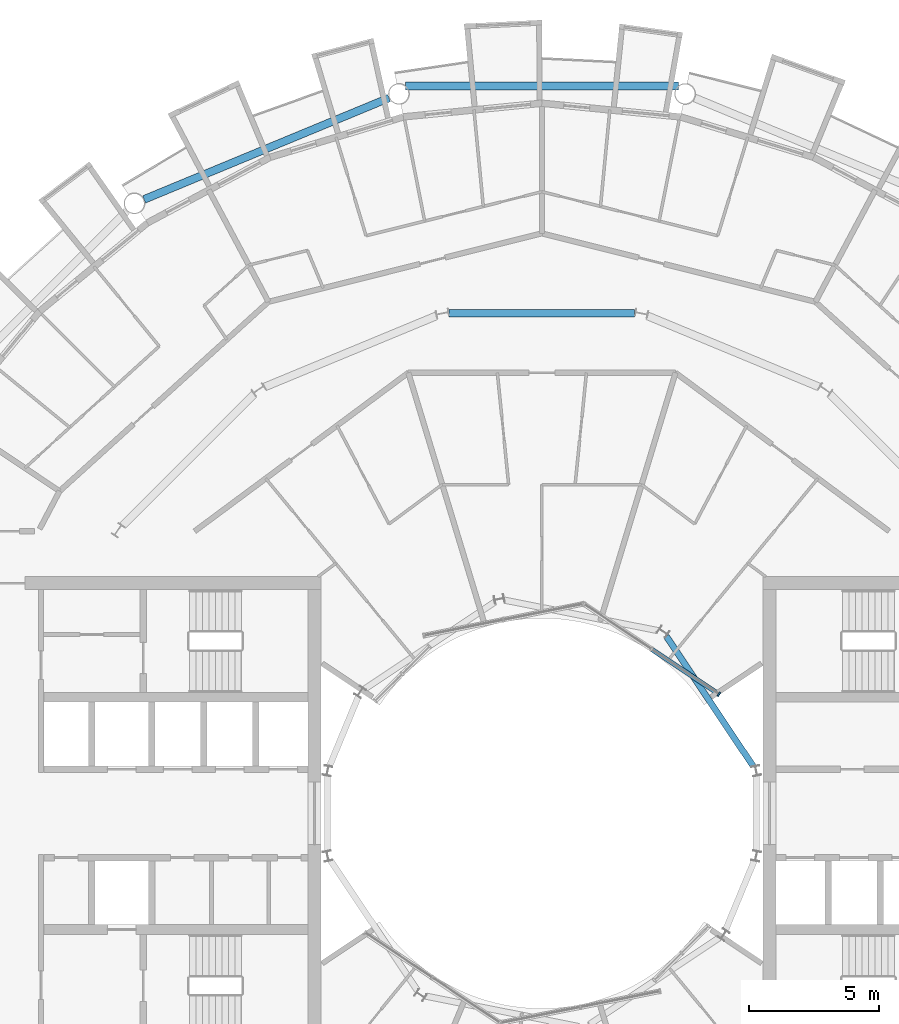
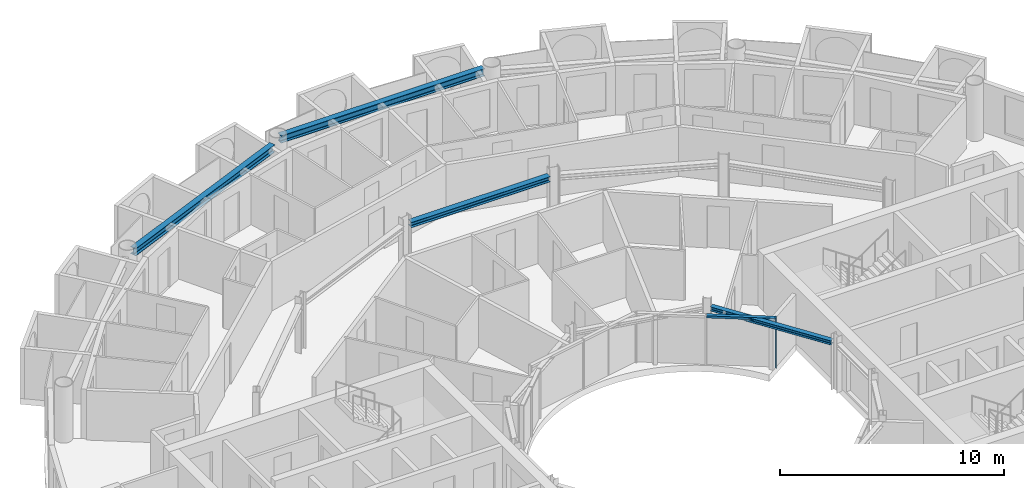
# One storey, part 9 of 27: 4 beams, 2 members, 1 element without a shape of its own.
"""IFC4 building model written with IfcOpenShell, lengths in metres."""

import ifcopenshell
import ifcopenshell.guid

model = None  # the IFC model being written
_history = None  # IfcOwnerHistory: only IFC2X3 demands one
_inside = {}  # id of a spatial element -> (the spatial element, [elements in it])
_under = {}  # id of a project, library or spatial element -> (it, [spatial elements below it])
_declared = {}  # id of a project -> (the project, [libraries it declares])
_typed = {}  # id of a type object -> (the type object, [elements of that type])
_made_of = {}  # id of a material, layer set ... -> (it, [elements and type objects made of it])


def new_model(schema):
    """Start an empty IFC model of exactly this schema.

    Asked for "IFC4X3", IfcOpenShell would pick the latest addendum, in which some entities
    have other attributes; the version numbers below select the first issue.
    IFC2X3 requires an IfcOwnerHistory on every rooted entity: one is made here for all.
    """
    global model, _history
    if schema == "IFC4X3":
        model = ifcopenshell.file(schema_version=(4, 3, 0, 0))
    else:
        model = ifcopenshell.file(schema=schema)
    _inside.clear()
    _under.clear()
    _declared.clear()
    _typed.clear()
    _made_of.clear()
    _history = None
    if model.schema == "IFC2X3":
        org = make("IfcOrganization", Name="unknown")
        user = make(
            "IfcPersonAndOrganization",
            ThePerson=make("IfcPerson", FamilyName="unknown"),
            TheOrganization=org,
        )
        app = make(
            "IfcApplication",
            ApplicationDeveloper=org,
            Version="unknown",
            ApplicationFullName="unknown",
            ApplicationIdentifier="unknown",
        )
        _history = make(
            "IfcOwnerHistory",
            OwningUser=user,
            OwningApplication=app,
            ChangeAction="ADDED",
            CreationDate=0,
        )
    return model


def make(cls, **values):
    """One entity of the class cls with the attributes given. An attribute that is None is left unset."""
    return model.create_entity(
        cls, **{name: value for name, value in values.items() if value is not None}
    )


def rooted(cls, **values):
    """An entity with a GlobalId (a new one), such as an element, a storey or a relation."""
    return make(cls, GlobalId=ifcopenshell.guid.new(), OwnerHistory=_history, **values)


def si_unit(unit_type, name, prefix=None):
    """IfcSIUnit, for example si_unit("LENGTHUNIT", "METRE", prefix="MILLI")."""
    return make("IfcSIUnit", UnitType=unit_type, Prefix=prefix, Name=name)


def assignment(units):
    """IfcUnitAssignment: the units of a project."""
    return None if units is None else make("IfcUnitAssignment", Units=units)


def point(xyz):
    """IfcCartesianPoint."""
    return None if xyz is None else make("IfcCartesianPoint", Coordinates=xyz)


def direction(xyz):
    """IfcDirection."""
    return None if xyz is None else make("IfcDirection", DirectionRatios=xyz)


def frame(location, z_axis=None, x_axis=None):
    """IfcAxis2Placement3D, a coordinate frame: its origin and axes. An axis left out is left unset."""
    return make(
        "IfcAxis2Placement3D",
        Location=point(location),
        Axis=direction(z_axis),
        RefDirection=direction(x_axis),
    )


def frame_2d(location, x_axis=None):
    """IfcAxis2Placement2D, a coordinate frame in the plane: its origin and x axis."""
    return make(
        "IfcAxis2Placement2D", Location=point(location), RefDirection=direction(x_axis)
    )


def origin():
    """The frame at (0, 0, 0) with its axes left unset."""
    return frame((0.0, 0.0, 0.0))


def origin_2d():
    """The frame at (0, 0) in the plane with its x axis left unset."""
    return frame_2d((0.0, 0.0))


def place(relative_to, where):
    """IfcLocalPlacement: puts the frame where relative to a parent placement (None: the world)."""
    return make(
        "IfcLocalPlacement", PlacementRelTo=relative_to, RelativePlacement=where
    )


def context(
    kind, dimensions, precision=None, world=None, true_north=None, identifier=None
):
    """IfcGeometricRepresentationContext, for example the 3D "Model" context."""
    return make(
        "IfcGeometricRepresentationContext",
        ContextIdentifier=identifier,
        ContextType=kind,
        CoordinateSpaceDimension=dimensions,
        Precision=precision,
        WorldCoordinateSystem=world,
        TrueNorth=true_north,
    )


def subcontext(parent, identifier, kind, view, scale=None):
    """IfcGeometricRepresentationSubContext, for example "Body" below "Model"."""
    return make(
        "IfcGeometricRepresentationSubContext",
        ContextIdentifier=identifier,
        ContextType=kind,
        ParentContext=parent,
        TargetScale=scale,
        TargetView=view,
    )


def project(units=None, contexts=None):
    """IfcProject with its units and contexts."""
    return rooted(
        "IfcProject",
        Name="project",
        RepresentationContexts=contexts,
        UnitsInContext=assignment(units),
    )


def spatial(cls, under=None, at=None, **own):
    """A site, building, storey or space (cls), placed at a placement, below another one or the project."""
    s = rooted(cls, ObjectPlacement=at, **own)
    if under is not None:
        _under.setdefault(under.id(), (under, []))[1].append(s)
    return s


def profile(cls, at=None, kind="AREA", **sizes):
    """A parametric profile (cls). Its sizes go by their IFC names, for example OverallWidth=200.0."""
    return make(cls, ProfileType=kind, Position=at, **sizes)


def rectangle(**sizes):
    """IfcRectangleProfileDef."""
    return profile("IfcRectangleProfileDef", **sizes)


def i_section(**sizes):
    """IfcIShapeProfileDef."""
    return profile("IfcIShapeProfileDef", **sizes)


def extrude(swept, where, along, depth):
    """IfcExtrudedAreaSolid: the profile swept, set in the frame where, extruded along a direction by depth."""
    return make(
        "IfcExtrudedAreaSolid",
        SweptArea=swept,
        Position=where,
        ExtrudedDirection=direction(along),
        Depth=depth,
    )


def shape(context_of_items, identifier, shape_type, items):
    """IfcShapeRepresentation: the items that make up one representation, for example the "Body"."""
    return make(
        "IfcShapeRepresentation",
        ContextOfItems=context_of_items,
        RepresentationIdentifier=identifier,
        RepresentationType=shape_type,
        Items=items,
    )


def material(Name=None, Category=None):
    """IfcMaterial."""
    return make("IfcMaterial", Name=Name, Category=Category)


def layer(
    of_material, thickness, ventilated=None, Name=None, Category=None, Priority=None
):
    """IfcMaterialLayer: one layer of a wall or slab, of a material (None: an air gap)."""
    return make(
        "IfcMaterialLayer",
        Material=of_material,
        LayerThickness=thickness,
        IsVentilated=ventilated,
        Name=Name,
        Category=Category,
        Priority=Priority,
    )


def layer_set(layers, Name=None):
    """IfcMaterialLayerSet."""
    return make("IfcMaterialLayerSet", MaterialLayers=layers, LayerSetName=Name)


def material_profile(
    of_material, cross_section, Name=None, Category=None, Priority=None
):
    """IfcMaterialProfile: a cross section and its material."""
    return make(
        "IfcMaterialProfile",
        Name=Name,
        Material=of_material,
        Profile=cross_section,
        Priority=Priority,
        Category=Category,
    )


def profile_set(profiles, Name=None, composite=None):
    """IfcMaterialProfileSet."""
    return make(
        "IfcMaterialProfileSet",
        Name=Name,
        MaterialProfiles=profiles,
        CompositeProfile=composite,
    )


def made_of(thing, what):
    """Note that an element or type object is made of a material, layer set ...; save() writes the relation."""
    if what is not None:
        _made_of.setdefault(what.id(), (what, []))[1].append(thing)
    return thing


def type_object(cls, material=None, **own):
    """A type object (cls), such as IfcWallType, which elements share."""
    return made_of(rooted(cls, **own), material)


def element(
    cls,
    number,
    at=None,
    inside=None,
    cuts=None,
    type_object=None,
    material=None,
    context=None,
    identifier="Body",
    shape_type=None,
    held_by="IfcProductDefinitionShape",
    body=None,
    shapes=None,
    **own,
):
    """One element of the class cls, such as IfcWall. Its Tag is "e" and its number.

    at: its placement. inside: the storey or other place that contains it. cuts: it is an
    opening in that element (IfcRelVoidsElement). A single representation is given by context,
    identifier, shape_type and body (its items); several are given by shapes. held_by: the class
    of the entity that holds the representations. save() writes the other relations.
    """
    e = rooted(cls, Tag="e%d" % number, ObjectPlacement=at, **own)
    if body is not None:
        shapes = [shape(context, identifier, shape_type, body)]
    if shapes is not None:
        e.Representation = make(held_by, Representations=shapes)
    if inside is not None:
        _inside.setdefault(inside.id(), (inside, []))[1].append(e)
    if cuts is not None:
        rooted(
            "IfcRelVoidsElement", RelatingBuildingElement=cuts, RelatedOpeningElement=e
        )
    if type_object is not None:
        _typed.setdefault(type_object.id(), (type_object, []))[1].append(e)
    return made_of(e, material)


def aggregate(whole, parts):
    """IfcRelAggregates: a whole, such as a stair, and the parts it consists of."""
    return rooted("IfcRelAggregates", RelatingObject=whole, RelatedObjects=parts)


def save(model, path):
    """Write the relations noted so far, then the file.

    IfcRelAggregates (storeys below a building ...), IfcRelContainedInSpatialStructure (elements
    in a storey), IfcRelDefinesByType, IfcRelAssociatesMaterial and IfcRelDeclares: one each for
    every whole, place, type object, material and project.
    """
    for whole, parts in _under.values():
        aggregate(whole, parts)
    for where, things in _inside.values():
        rooted(
            "IfcRelContainedInSpatialStructure",
            RelatedElements=things,
            RelatingStructure=where,
        )
    for kind, things in _typed.values():
        rooted("IfcRelDefinesByType", RelatedObjects=things, RelatingType=kind)
    for what, things in _made_of.values():
        rooted("IfcRelAssociatesMaterial", RelatedObjects=things, RelatingMaterial=what)
    for by, libraries in _declared.values():
        rooted("IfcRelDeclares", RelatingContext=by, RelatedDefinitions=libraries)
    model.write(path)


model = new_model("IFC4")

# Units and contexts
model_context = context("Model", 3, precision=1e-05, world=origin(), true_north=direction((0.0, 1.0)))
body_context = subcontext(model_context, "Body", "Model", "MODEL_VIEW")
ifc_project = project(units=[si_unit("LENGTHUNIT", "METRE"), si_unit("AREAUNIT", "SQUARE_METRE"), si_unit("VOLUMEUNIT", "CUBIC_METRE"), si_unit("PLANEANGLEUNIT", "RADIAN"), si_unit("MASSUNIT", "GRAM", prefix="KILO")], contexts=[model_context])

# Site, building, storey
site_placement = place(None, origin())
site = spatial("IfcSite", under=ifc_project, at=site_placement, CompositionType="ELEMENT")
building_placement = place(site_placement, origin())
building = spatial("IfcBuilding", under=site, at=building_placement, Name="Maasbend Ring Residences", CompositionType="ELEMENT")
storey_placement = place(building_placement, frame((0.0, 0.0, 151.300048828125)))
storey = spatial("IfcBuildingStorey", under=building, at=storey_placement, Name="L43", CompositionType="ELEMENT", Elevation=151.300048828125)

# Curtain wall, members
ifc_material_1 = material(Name="Aluminium and clear glass", Category="aluminium")
ifc_layer = layer(ifc_material_1, 0.179931640625)
ifc_layer_set = layer_set([ifc_layer], Name="CW-W")
curtain_wall_type = type_object("IfcCurtainWallType", Name="CW-W", PredefinedType="NOTDEFINED", material=ifc_layer_set)
curtain_wall_placement = place(storey_placement, origin())
curtain_wall = element("IfcCurtainWall", 1, at=curtain_wall_placement, inside=storey, type_object=curtain_wall_type, Name="Well curtain wall N1", PredefinedType="NOTDEFINED")
ifc_material_2 = material(Name="Aluminium 6063-T6", Category="aluminium")
ifc_material_profile_1 = material_profile(ifc_material_2, rectangle(XDim=0.179931640625, YDim=0.06005859375, at=origin_2d()), Name="AL 180x60")
ifc_profile_set_1 = profile_set([ifc_material_profile_1], Name="Aluminium 6063-T6")
member_type_1 = type_object("IfcMemberType", Name="CWM-W", PredefinedType="MULLION", material=ifc_profile_set_1)
member_1_placement = place(storey_placement, frame((6.805908203125, 4.580810546875, 0.0), z_axis=(0.0, 0.0, 1.0), x_axis=(-0.55557023302, -0.831469612303, 0.0)))
member_1 = element("IfcMember", 2, at=member_1_placement, type_object=member_type_1, Name="Mullion well face", PredefinedType="MULLION", context=body_context, shape_type="SweptSolid", body=[
    extrude(rectangle(XDim=0.179931640625, YDim=0.06005859375, at=origin_2d()), origin(), (0.0, 0.0, 1.0), 2.699951171875),
])
ifc_material_3 = material(Name="Aluminium 6063-T6", Category="aluminium")
ifc_material_profile_2 = material_profile(ifc_material_3, rectangle(XDim=0.179931640625, YDim=0.1201171875, at=origin_2d()), Name="AL 180x120")
ifc_profile_set_2 = profile_set([ifc_material_profile_2], Name="Aluminium 6063-T6")
member_type_2 = type_object("IfcMemberType", Name="CWT-W", PredefinedType="USERDEFINED", material=ifc_profile_set_2)
member_2_placement = place(storey_placement, frame((6.781005859375, 4.59765625, 2.639892578125), z_axis=(-0.831496422459, 0.555530106689, 0.0), x_axis=(-0.555530106689, -0.831496422459, 0.0)))
member_2 = element("IfcMember", 3, at=member_2_placement, type_object=member_type_2, Name="Transom well face", ObjectType="TRANSOM", PredefinedType="USERDEFINED", context=body_context, shape_type="SweptSolid", body=[
    extrude(rectangle(XDim=0.179931640625, YDim=0.1201171875, at=origin_2d()), origin(), (0.0, 0.0, 1.0), 3.053955078125),
])
aggregate(curtain_wall, [member_1, member_2])

# Beams
ifc_material_4 = material(Name="Steel S355J2", Category="steel")
ifc_material_profile_3 = material_profile(ifc_material_4, i_section(OverallWidth=0.300048828125, OverallDepth=0.2900390625, WebThickness=0.008544921875, FlangeThickness=0.013916015625, FilletRadius=0.027099609375, at=origin_2d()), Name="HEA 300")
ifc_profile_set_3 = profile_set([ifc_material_profile_3], Name="Steel S355J2")
beam_type_1 = type_object("IfcBeamType", Name="Corridor ring beam HEA 300", PredefinedType="BEAM", material=ifc_profile_set_3)
beam_1_placement = place(storey_placement, frame((3.56884765625, 19.223388671875, 2.554931640625), z_axis=(-1.0, 0.0, 0.0), x_axis=(0.0, -1.0, 0.0)))
element("IfcBeam", 4, at=beam_1_placement, inside=storey, type_object=beam_type_1, Name="Corridor ring beam", PredefinedType="BEAM", context=body_context, shape_type="SweptSolid", body=[
    extrude(i_section(OverallWidth=0.300048828125, OverallDepth=0.2900390625, WebThickness=0.008544921875, FlangeThickness=0.013916015625, FilletRadius=0.027099609375, at=origin_2d()), origin(), (0.0, 0.0, 1.0), 7.1376953125),
])
ifc_material_5 = material(Name="Steel S355J2", Category="steel")
ifc_material_profile_4 = material_profile(ifc_material_5, i_section(OverallWidth=0.300048828125, OverallDepth=0.39990234375, WebThickness=0.013427734375, FlangeThickness=0.02392578125, FilletRadius=0.027099609375, at=origin_2d()), Name="HEB 400")
ifc_profile_set_4 = profile_set([ifc_material_profile_4], Name="Steel S355J2")
beam_type_2 = type_object("IfcBeamType", Name="Spandrel ring beam HEB 400", PredefinedType="SPANDREL", material=ifc_profile_set_4)
beam_2_placement = place(storey_placement, frame((5.2451171875, 27.9580078125, 2.5), z_axis=(-1.0, 0.0, 0.0), x_axis=(0.0, -1.0, 0.0)))
element("IfcBeam", 5, at=beam_2_placement, inside=storey, type_object=beam_type_2, Name="Spandrel ring beam", PredefinedType="SPANDREL", context=body_context, shape_type="SweptSolid", body=[
    extrude(i_section(OverallWidth=0.300048828125, OverallDepth=0.39990234375, WebThickness=0.013427734375, FlangeThickness=0.02392578125, FilletRadius=0.027099609375, at=origin_2d()), origin(), (0.0, 0.0, 1.0), 10.490234375),
])
beam_3_placement = place(storey_placement, frame((-5.877197265625, 27.50244140625, 2.5), z_axis=(-0.923883676188, -0.382673428492, 0.0), x_axis=(0.382673428492, -0.923883676188, 0.0)))
element("IfcBeam", 6, at=beam_3_placement, inside=storey, type_object=beam_type_2, Name="Spandrel ring beam", PredefinedType="SPANDREL", context=body_context, shape_type="SweptSolid", body=[
    extrude(i_section(OverallWidth=0.300048828125, OverallDepth=0.39990234375, WebThickness=0.013427734375, FlangeThickness=0.02392578125, FilletRadius=0.027099609375, at=origin_2d()), origin(), (0.0, 0.0, 1.0), 10.18994140625),
])
ifc_material_6 = material(Name="Steel S355J2", Category="steel")
ifc_material_profile_5 = material_profile(ifc_material_6, i_section(OverallWidth=0.239990234375, OverallDepth=0.22998046875, WebThickness=0.007568359375, FlangeThickness=0.011962890625, FilletRadius=0.02099609375, at=origin_2d()), Name="HEA 240")
ifc_profile_set_5 = profile_set([ifc_material_profile_5], Name="Steel S355J2")
beam_type_3 = type_object("IfcBeamType", Name="Well edge beam HEA 240", PredefinedType="BEAM", material=ifc_profile_set_5)
beam_4_placement = place(storey_placement, frame((8.121337890625, 1.814208984375, 2.5849609375), z_axis=(-0.555553413909, 0.831480850227, 0.0), x_axis=(-0.831480850227, -0.555553413909, 0.0)))
element("IfcBeam", 7, at=beam_4_placement, inside=storey, type_object=beam_type_3, Name="Well edge beam", PredefinedType="BEAM", context=body_context, shape_type="SweptSolid", body=[
    extrude(i_section(OverallWidth=0.239990234375, OverallDepth=0.22998046875, WebThickness=0.007568359375, FlangeThickness=0.011962890625, FilletRadius=0.02099609375, at=origin_2d()), origin(), (0.0, 0.0, 1.0), 6.0068359375),
])

save(model, "model.ifc")
